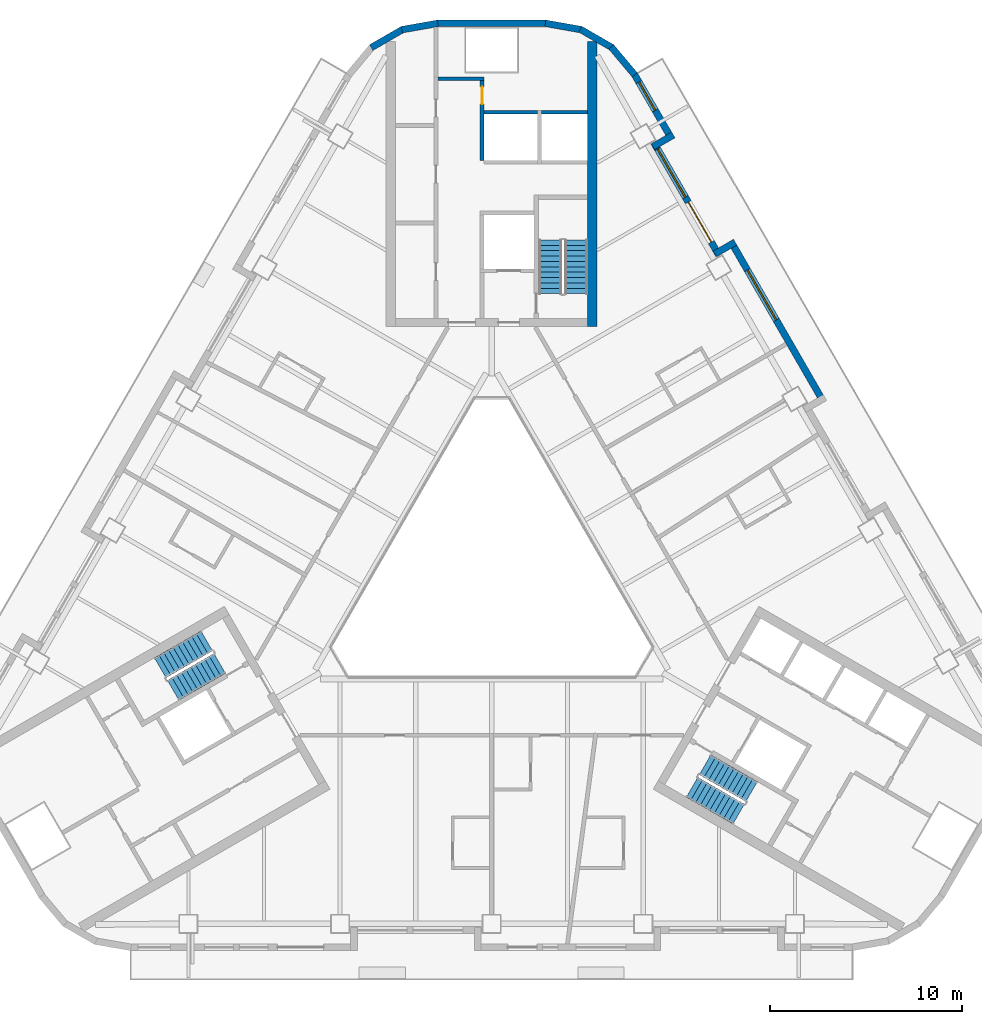
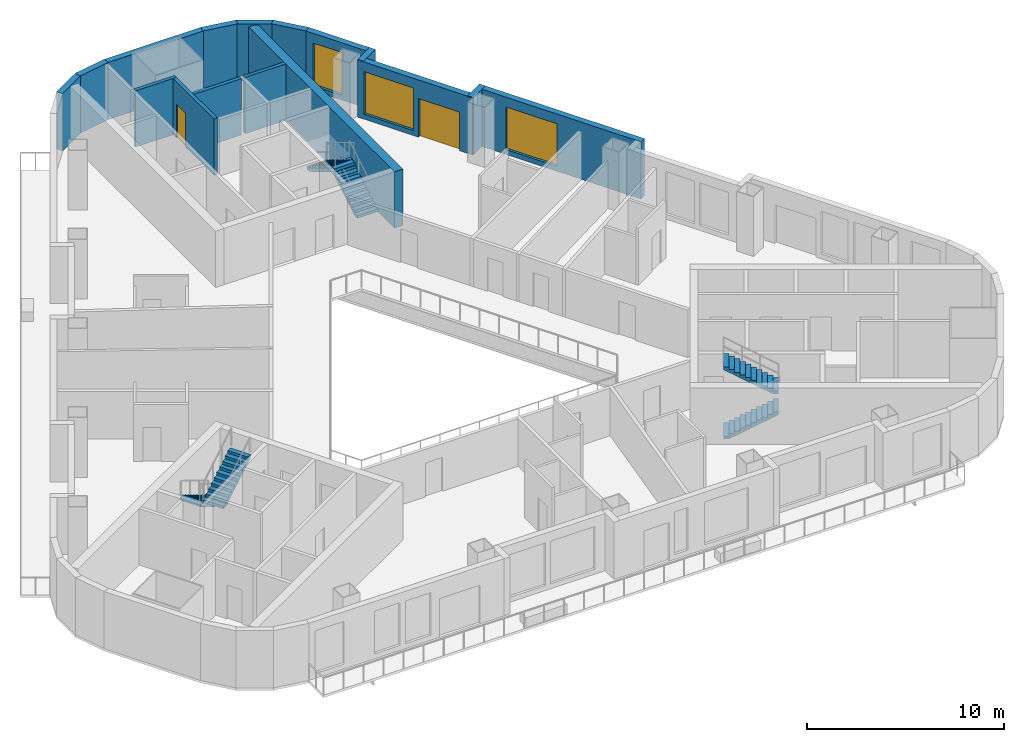
# One storey, part 7 of 13: 16 walls, 6 stair flights, 3 windows, 2 doors, 5 openings, 3 elements without a shape of their own.
"""IFC4 building model written with IfcOpenShell, lengths in metres."""

from ifc_helpers import new_model, si_unit, direction, frame, frame_2d, origin, place, context, subcontext, project, spatial, polyline, rectangle, outline, extrude, material, layer, layer_set, type_object, element, fill, aggregate, save


model = new_model("IFC4")

# Units and contexts
model_context = context("Model", 3, precision=1e-05, world=origin(), true_north=direction((0.0, 1.0)))
body_context = subcontext(model_context, "Body", "Model", "MODEL_VIEW")
ifc_project = project(units=[si_unit("LENGTHUNIT", "METRE"), si_unit("AREAUNIT", "SQUARE_METRE"), si_unit("VOLUMEUNIT", "CUBIC_METRE"), si_unit("PLANEANGLEUNIT", "RADIAN"), si_unit("MASSUNIT", "GRAM", prefix="KILO")], contexts=[model_context])

# Site, building, storey
site_placement = place(None, origin())
site = spatial("IfcSite", under=ifc_project, at=site_placement, CompositionType="ELEMENT")
building_placement = place(site_placement, origin())
building = spatial("IfcBuilding", under=site, at=building_placement, Name="Apuvela Tower Hotel", CompositionType="ELEMENT")
storey_placement = place(building_placement, frame((0.0, 0.0, 65.0)))
storey = spatial("IfcBuildingStorey", under=building, at=storey_placement, Name="L13", CompositionType="ELEMENT", Elevation=65.0)

# Walls
ifc_material_1 = material(Name="Concrete C50/60", Category="concrete")
ifc_layer_1 = layer(ifc_material_1, 0.5)
ifc_layer_set_1 = layer_set([ifc_layer_1], Name="COR-WALL-CORE-500")
wall_type_1 = type_object("IfcWallType", Name="COR-WALL-CORE-500", PredefinedType="SHEAR", material=ifc_layer_set_1)
wall_1_placement = place(storey_placement, frame((5.25, 12.89990234375, 0.0), z_axis=(0.0, 0.0, 1.0), x_axis=(0.0, 1.0, 0.0)))
element("IfcWall", 1, at=wall_1_placement, inside=storey, type_object=wall_type_1, Name="Core wall N", PredefinedType="SHEAR", context=body_context, shape_type="SweptSolid", body=[
    extrude(rectangle(XDim=14.8369140625, YDim=0.5, at=frame_2d((7.41845703125, 0.0))), origin(), (0.0, 0.0, 1.0), 3.5),
])
ifc_layer_2 = layer(ifc_material_1, 0.199951171875)
ifc_layer_set_2 = layer_set([ifc_layer_2], Name="COR-WALL-SHAFT-200")
wall_type_2 = type_object("IfcWallType", Name="COR-WALL-SHAFT-200", PredefinedType="SHEAR", material=ifc_layer_set_2)
wall_2_placement = place(storey_placement, frame((-0.39990234375, 25.800048828125, 0.0), z_axis=(0.0, 0.0, 1.0), x_axis=(-1.0, 0.0, 0.0)))
element("IfcWall", 2, at=wall_2_placement, inside=storey, type_object=wall_type_2, Name="Shaft wall N", PredefinedType="SHEAR", context=body_context, shape_type="SweptSolid", body=[
    extrude(rectangle(XDim=2.400146484375, YDim=0.199951171875, at=frame_2d((1.2001953125, 0.0))), origin(), (0.0, 0.0, 1.0), 3.5),
])

# Wall, opening, door
wall_3_placement = place(storey_placement, frame((-0.5, 21.550048828125, 0.0), z_axis=(0.0, 0.0, 1.0), x_axis=(0.0, 1.0, 0.0)))
wall_3 = element("IfcWall", 3, at=wall_3_placement, inside=storey, type_object=wall_type_2, Name="Shaft wall N", PredefinedType="SHEAR", context=body_context, shape_type="SweptSolid", body=[
    extrude(rectangle(XDim=4.14990234375, YDim=0.199951171875, at=frame_2d((2.074951171875, 0.0))), origin(), (0.0, 0.0, 1.0), 3.5),
])
opening_1_placement = place(wall_3_placement, frame((2.925048828125, 0.0, 0.0)))
opening_1 = element("IfcOpeningElement", 4, at=opening_1_placement, cuts=wall_3, Name="Opening N-RSP", PredefinedType="OPENING", context=body_context, shape_type="SweptSolid", body=[
    extrude(rectangle(XDim=0.89990234375, YDim=2.10009765625, at=frame_2d((0.449951171875, 1.050048828125))), frame((0.0, 0.10986328125, 0.0), z_axis=(0.0, -1.0, 0.0), x_axis=(1.0, 0.0, 0.0)), (0.0, 0.0, 1.0), 0.219970703125),
])
ifc_material_2 = material(Name="Steel fire door, powder coated", Category="steel")
door_type_1 = type_object("IfcDoorType", Name="COR-DR-900", OperationType="NOTDEFINED", PredefinedType="DOOR", material=ifc_material_2)
door_1_placement = place(opening_1_placement, frame((0.89990234375, 0.0, 0.0), z_axis=(0.0, 0.0, 1.0), x_axis=(-1.0, 0.0, 0.0)))
door_1 = element("IfcDoor", 5, at=door_1_placement, inside=storey, type_object=door_type_1, Name="Store door N-RSP", OperationType="SINGLE_SWING_LEFT", OverallHeight=2.10009765625, OverallWidth=0.89990234375, PredefinedType="DOOR", context=body_context, shape_type="SweptSolid", body=[
    extrude(rectangle(XDim=0.89990234375, YDim=2.10009765625, at=frame_2d((0.449951171875, 1.050048828125))), frame((0.0, 0.02490234375, 0.0), z_axis=(0.0, -1.0, 0.0), x_axis=(1.0, 0.0, 0.0)), (0.0, 0.0, 1.0), 0.050048828125),
])
fill(opening_1, door_1)

# Walls
wall_4_placement = place(storey_placement, frame((5.0, 24.050048828125, 0.0), z_axis=(0.0, 0.0, 1.0), x_axis=(-1.0, 0.0, 0.0)))
element("IfcWall", 6, at=wall_4_placement, inside=storey, type_object=wall_type_2, Name="Shaft wall N", PredefinedType="SHEAR", context=body_context, shape_type="SweptSolid", body=[
    extrude(rectangle(XDim=2.39990234375, YDim=0.199951171875, at=frame_2d((1.199951171875, 0.0))), origin(), (0.0, 0.0, 1.0), 3.5),
])
wall_5_placement = place(storey_placement, frame((2.39990234375, 24.050048828125, 0.0), z_axis=(0.0, 0.0, 1.0), x_axis=(-1.0, 0.0, 0.0)))
element("IfcWall", 7, at=wall_5_placement, inside=storey, type_object=wall_type_2, Name="Shaft wall N", PredefinedType="SHEAR", context=body_context, shape_type="SweptSolid", body=[
    extrude(rectangle(XDim=2.7998046875, YDim=0.199951171875, at=frame_2d((1.39990234375, 0.0))), origin(), (0.0, 0.0, 1.0), 3.5),
])

# Wall, opening, window
ifc_material_3 = material(Name="Concrete C40/50, dark pigmented precast panel", Category="concrete")
ifc_layer_3 = layer(ifc_material_3, 0.35009765625)
ifc_layer_set_3 = layer_set([ifc_layer_3], Name="ENV-WALL-350")
wall_type_3 = type_object("IfcWallType", Name="ENV-WALL-350", PredefinedType="SOLIDWALL", material=ifc_layer_set_3)
wall_6_placement = place(storey_placement, frame((17.298583984375, 8.947998046875, 0.0), z_axis=(0.0, 0.0, 1.0), x_axis=(-0.500010041276, 0.866019606374, 0.0)))
wall_6 = element("IfcWall", 8, at=wall_6_placement, inside=storey, type_object=wall_type_3, Name="External wall L13-37", PredefinedType="SOLIDWALL", context=body_context, shape_type="SweptSolid", body=[
    extrude(rectangle(XDim=9.699951171875, YDim=0.35009765625, at=frame_2d((4.85009765625, 0.0))), origin(), (0.0, 0.0, 1.0), 3.550048828125),
])
opening_2_placement = place(wall_6_placement, frame((4.94921875, 0.0, 0.300048828125)))
opening_2 = element("IfcOpeningElement", 9, at=opening_2_placement, cuts=wall_6, Name="Opening WN30", PredefinedType="OPENING", context=body_context, shape_type="SweptSolid", body=[
    extrude(rectangle(XDim=3.0, YDim=2.64990234375, at=frame_2d((1.5, 1.324951171875))), frame((0.0, 0.18505859375, 0.0), z_axis=(0.0, -1.0, 0.0), x_axis=(1.0, 0.0, 0.0)), (0.0, 0.0, 1.0), 0.3701171875),
])
ifc_material_4 = material(Name="Glass, dark tinted laminated insulated glazing unit", Category="glass")
window_type_1 = type_object("IfcWindowType", Name="ENV-WIN-3000x2650", PartitioningType="SINGLE_PANEL", PredefinedType="WINDOW", material=ifc_material_4)
window_1_placement = place(opening_2_placement, origin())
window_1 = element("IfcWindow", 10, at=window_1_placement, inside=storey, type_object=window_type_1, Name="Window WN30", OverallHeight=2.64990234375, OverallWidth=3.0, PartitioningType="SINGLE_PANEL", PredefinedType="WINDOW", context=body_context, shape_type="SweptSolid", body=[
    extrude(rectangle(XDim=3.0, YDim=2.64990234375, at=frame_2d((1.5, 1.324951171875))), frame((0.0, 0.030029296875, 0.0), z_axis=(0.0, -1.0, 0.0), x_axis=(1.0, 0.0, 0.0)), (0.0, 0.0, 1.0), 0.06005859375),
])
fill(opening_2, window_1)

# Wall
wall_7_placement = place(storey_placement, frame((12.6875, 17.284423828125, 0.0), z_axis=(0.0, 0.0, 1.0), x_axis=(-0.865955602162, -0.500120880472, 0.0)))
element("IfcWall", 11, at=wall_7_placement, inside=storey, type_object=wall_type_3, Name="External wall L13-38", PredefinedType="SOLIDWALL", context=body_context, shape_type="SweptSolid", body=[
    extrude(rectangle(XDim=1.219970703125, YDim=0.35009765625, at=frame_2d((0.60986328125, 0.0))), origin(), (0.0, 0.0, 1.0), 3.550048828125),
])

# Wall, openings, door, window
wall_8_placement = place(storey_placement, frame((11.8291015625, 16.621337890625, 0.0), z_axis=(0.0, 0.0, 1.0), x_axis=(-0.500003597184, 0.866023326939, 0.0)))
wall_8 = element("IfcWall", 12, at=wall_8_placement, inside=storey, type_object=wall_type_3, Name="External wall L13-39", PredefinedType="SOLIDWALL", context=body_context, shape_type="SweptSolid", body=[
    extrude(rectangle(XDim=6.740234375, YDim=0.35009765625, at=frame_2d((3.3701171875, 0.0))), origin(), (0.0, 0.0, 1.0), 3.550048828125),
])
opening_3_placement = place(wall_8_placement, frame((0.77001953125, 0.0, 0.0)))
opening_3 = element("IfcOpeningElement", 13, at=opening_3_placement, cuts=wall_8, Name="Opening BD24", PredefinedType="OPENING", context=body_context, shape_type="SweptSolid", body=[
    extrude(rectangle(XDim=2.39990234375, YDim=2.39990234375, at=frame_2d((1.199951171875, 1.199951171875))), frame((0.0, 0.18505859375, 0.0), z_axis=(0.0, -1.0, 0.0), x_axis=(1.0, 0.0, 0.0)), (0.0, 0.0, 1.0), 0.3701171875),
])
opening_4_placement = place(wall_8_placement, frame((3.469970703125, 0.0, 0.300048828125)))
opening_4 = element("IfcOpeningElement", 14, at=opening_4_placement, cuts=wall_8, Name="Opening WN29", PredefinedType="OPENING", context=body_context, shape_type="SweptSolid", body=[
    extrude(rectangle(XDim=2.89990234375, YDim=2.64990234375, at=frame_2d((1.449951171875, 1.324951171875))), frame((0.0, 0.18505859375, 0.0), z_axis=(0.0, -1.0, 0.0), x_axis=(1.0, 0.0, 0.0)), (0.0, 0.0, 1.0), 0.3701171875),
])
ifc_material_5 = material(Name="Aluminium 6063-T6, dark bronze anodised frame with dark tinted laminated glass", Category="aluminium")
door_type_2 = type_object("IfcDoorType", Name="ENV-DOOR-BALCONY-2400x2400", OperationType="SLIDING_TO_LEFT", PredefinedType="DOOR", material=ifc_material_5)
door_2_placement = place(opening_3_placement, frame((2.39990234375, 0.0, 0.0), z_axis=(0.0, 0.0, 1.0), x_axis=(-1.0, 0.0, 0.0)))
door_2 = element("IfcDoor", 15, at=door_2_placement, inside=storey, type_object=door_type_2, Name="Balcony door BD24", OperationType="SLIDING_TO_LEFT", OverallHeight=2.39990234375, OverallWidth=2.39990234375, PredefinedType="DOOR", context=body_context, shape_type="SweptSolid", body=[
    extrude(rectangle(XDim=2.39990234375, YDim=2.39990234375, at=frame_2d((1.199951171875, 1.199951171875))), frame((0.0, 0.02490234375, 0.0), z_axis=(0.0, -1.0, 0.0), x_axis=(1.0, 0.0, 0.0)), (0.0, 0.0, 1.0), 0.050048828125),
])
fill(opening_3, door_2)
window_type_2 = type_object("IfcWindowType", Name="ENV-WIN-2900x2650", PartitioningType="SINGLE_PANEL", PredefinedType="WINDOW", material=ifc_material_4)
window_2_placement = place(opening_4_placement, origin())
window_2 = element("IfcWindow", 16, at=window_2_placement, inside=storey, type_object=window_type_2, Name="Window WN29", OverallHeight=2.64990234375, OverallWidth=2.89990234375, PartitioningType="SINGLE_PANEL", PredefinedType="WINDOW", context=body_context, shape_type="SweptSolid", body=[
    extrude(rectangle(XDim=2.89990234375, YDim=2.64990234375, at=frame_2d((1.449951171875, 1.324951171875))), frame((0.0, 0.030029296875, 0.0), z_axis=(0.0, -1.0, 0.0), x_axis=(1.0, 0.0, 0.0)), (0.0, 0.0, 1.0), 0.06005859375),
])
fill(opening_4, window_2)

# Wall
wall_9_placement = place(storey_placement, frame((8.406005859375, 22.26025390625, 0.0), z_axis=(0.0, 0.0, 1.0), x_axis=(0.865955602162, 0.500120880472, 0.0)))
element("IfcWall", 17, at=wall_9_placement, inside=storey, type_object=wall_type_3, Name="External wall L13-40", PredefinedType="SOLIDWALL", context=body_context, shape_type="SweptSolid", body=[
    extrude(rectangle(XDim=1.219970703125, YDim=0.35009765625, at=frame_2d((0.60986328125, 0.0))), origin(), (0.0, 0.0, 1.0), 3.550048828125),
])

# Wall, opening, window
wall_10_placement = place(storey_placement, frame((9.3984375, 22.631103515625, 0.0), z_axis=(0.0, 0.0, 1.0), x_axis=(-0.499954521343, 0.866051659307, 0.0)))
wall_10 = element("IfcWall", 18, at=wall_10_placement, inside=storey, type_object=wall_type_3, Name="External wall L13-41", PredefinedType="SOLIDWALL", context=body_context, shape_type="SweptSolid", body=[
    extrude(rectangle(XDim=3.915771484375, YDim=0.35009765625, at=frame_2d((1.9580078125, 0.0))), origin(), (0.0, 0.0, 1.0), 3.550048828125),
])
opening_5_placement = place(wall_10_placement, frame((1.749755859375, 0.0, 0.300048828125)))
opening_5 = element("IfcOpeningElement", 19, at=opening_5_placement, cuts=wall_10, Name="Opening WN17", PredefinedType="OPENING", context=body_context, shape_type="SweptSolid", body=[
    extrude(rectangle(XDim=1.699951171875, YDim=2.64990234375, at=frame_2d((0.85009765625, 1.324951171875))), frame((0.0, 0.18505859375, 0.0), z_axis=(0.0, -1.0, 0.0), x_axis=(1.0, 0.0, 0.0)), (0.0, 0.0, 1.0), 0.3701171875),
])
window_type_3 = type_object("IfcWindowType", Name="ENV-WIN-1700x2650", PartitioningType="SINGLE_PANEL", PredefinedType="WINDOW", material=ifc_material_4)
window_3_placement = place(opening_5_placement, origin())
window_3 = element("IfcWindow", 20, at=window_3_placement, inside=storey, type_object=window_type_3, Name="Window WN17", OverallHeight=2.64990234375, OverallWidth=1.699951171875, PartitioningType="SINGLE_PANEL", PredefinedType="WINDOW", context=body_context, shape_type="SweptSolid", body=[
    extrude(rectangle(XDim=1.699951171875, YDim=2.64990234375, at=frame_2d((0.85009765625, 1.324951171875))), frame((0.0, 0.030029296875, 0.0), z_axis=(0.0, -1.0, 0.0), x_axis=(1.0, 0.0, 0.0)), (0.0, 0.0, 1.0), 0.06005859375),
])
fill(opening_5, window_3)

# Walls
wall_11_placement = place(storey_placement, frame((7.4580078125, 25.99755859375, 0.0), z_axis=(0.0, 0.0, 1.0), x_axis=(-0.642808304945, 0.766027077259, 0.0)))
element("IfcWall", 21, at=wall_11_placement, inside=storey, type_object=wall_type_3, Name="External wall L13-42", PredefinedType="SOLIDWALL", context=body_context, shape_type="SweptSolid", body=[
    extrude(rectangle(XDim=1.909912109375, YDim=0.35009765625, at=frame_2d((0.955078125, 0.0))), origin(), (0.0, 0.0, 1.0), 3.550048828125),
])
for number, where, z_axis, x_axis, name in (
    (22, (6.27685546875, 27.421630859375, 0.0), (0.0, 0.0, 1.0), (-0.866032345022, 0.499987977232, 0.0), "External wall L13-43"),
    (23, (4.6796875, 28.35595703125, 0.0), (0.0, 0.0, 1.0), (-0.984798995425, 0.173697837091, 0.0), "External wall L13-44"),
):
    element("IfcWall", number, at=place(storey_placement, frame(where, z_axis=z_axis, x_axis=x_axis)), inside=storey, type_object=wall_type_3, Name=name, PredefinedType="SOLIDWALL", context=body_context, shape_type="SweptSolid", body=[
        extrude(rectangle(XDim=1.91015625, YDim=0.35009765625, at=frame_2d((0.955078125, 0.0))), origin(), (0.0, 0.0, 1.0), 3.550048828125),
    ])
wall_12_placement = place(storey_placement, frame((2.8291015625, 28.68505859375, 0.0), z_axis=(0.0, 0.0, 1.0), x_axis=(-1.0, 0.0, 0.0)))
element("IfcWall", 24, at=wall_12_placement, inside=storey, type_object=wall_type_3, Name="External wall L13-45", PredefinedType="SOLIDWALL", context=body_context, shape_type="SweptSolid", body=[
    extrude(rectangle(XDim=5.658203125, YDim=0.35009765625, at=frame_2d((2.8291015625, 0.0))), origin(), (0.0, 0.0, 1.0), 3.550048828125),
])
for number, where, z_axis, x_axis, name in (
    (25, (-2.798583984375, 28.687744140625, 0.0), (0.0, 0.0, 1.0), (-0.984798995425, -0.173697837091, 0.0), "External wall L13-46"),
    (26, (-4.62255859375, 28.376708984375, 0.0), (0.0, 0.0, 1.0), (-0.866032345022, -0.499987977232, 0.0), "External wall L13-47"),
):
    element("IfcWall", number, at=place(storey_placement, frame(where, z_axis=z_axis, x_axis=x_axis)), inside=storey, type_object=wall_type_3, Name=name, PredefinedType="SOLIDWALL", context=body_context, shape_type="SweptSolid", body=[
        extrude(rectangle(XDim=1.91015625, YDim=0.35009765625, at=frame_2d((0.955078125, 0.0))), origin(), (0.0, 0.0, 1.0), 3.550048828125),
    ])

# Stair, stair flights
stair_type = type_object("IfcStairType", Name="COR-STAIR-22R", PredefinedType="HALF_TURN_STAIR", material=ifc_material_1)
stair_1_placement = place(storey_placement, origin())
stair_1 = element("IfcStair", 27, at=stair_1_placement, inside=storey, type_object=stair_type, Name="L13 Exit stair ST1", PredefinedType="HALF_TURN_STAIR")
stair_flight_type = type_object("IfcStairFlightType", Name="COR-FLIGHT-11R", PredefinedType="STRAIGHT", material=ifc_material_1)
stair_flight_1_placement = place(storey_placement, frame((4.39990234375, 14.60009765625, 0.0), z_axis=(0.0, 0.0, 1.0), x_axis=(0.0, 1.0, 0.0)))
stair_flight_1 = element("IfcStairFlight", 28, at=stair_flight_1_placement, type_object=stair_flight_type, Name="ST1 flight 1", NumberOfRisers=11, NumberOfTreads=10, PredefinedType="STRAIGHT", RiserHeight=0.168181818, TreadLength=0.28, context=body_context, shape_type="SweptSolid", body=[
    extrude(outline(polyline([(0.0, 0.0), (0.0, 0.168212890625), (0.280029296875, 0.168212890625), (0.280029296875, 0.33642578125), (0.56005859375, 0.33642578125), (0.56005859375, 0.504638671875), (0.840087890625, 0.504638671875), (0.840087890625, 0.672607421875), (1.1201171875, 0.672607421875), (1.1201171875, 0.8408203125), (1.39990234375, 0.8408203125), (1.39990234375, 1.009033203125), (1.679931640625, 1.009033203125), (1.679931640625, 1.17724609375), (1.9599609375, 1.17724609375), (1.9599609375, 1.345458984375), (2.239990234375, 1.345458984375), (2.239990234375, 1.513671875), (2.52001953125, 1.513671875), (2.52001953125, 1.681884765625), (2.800048828125, 1.681884765625), (2.800048828125, 1.85009765625), (2.800048828125, 1.5068359375), (0.291015625, 0.0), (0.0, 0.0)])), frame((0.0, 0.60009765625, 0.0), z_axis=(0.0, -1.0, 0.0), x_axis=(1.0, 0.0, 0.0)), (0.0, 0.0, 1.0), 1.199951171875),
])
stair_flight_2_placement = place(storey_placement, frame((3.050048828125, 17.39990234375, 1.85009765625), z_axis=(0.0, 0.0, 1.0), x_axis=(0.0, -1.0, 0.0)))
stair_flight_2 = element("IfcStairFlight", 29, at=stair_flight_2_placement, type_object=stair_flight_type, Name="ST1 flight 2", NumberOfRisers=11, NumberOfTreads=10, PredefinedType="STRAIGHT", RiserHeight=0.168181818, TreadLength=0.28, context=body_context, shape_type="SweptSolid", body=[
    extrude(outline(polyline([(0.0, 0.0), (0.0, 0.168212890625), (0.280029296875, 0.168212890625), (0.280029296875, 0.33642578125), (0.56005859375, 0.33642578125), (0.56005859375, 0.504638671875), (0.840087890625, 0.504638671875), (0.840087890625, 0.672607421875), (1.1201171875, 0.672607421875), (1.1201171875, 0.8408203125), (1.39990234375, 0.8408203125), (1.39990234375, 1.009033203125), (1.679931640625, 1.009033203125), (1.679931640625, 1.17724609375), (1.9599609375, 1.17724609375), (1.9599609375, 1.345458984375), (2.239990234375, 1.345458984375), (2.239990234375, 1.513671875), (2.52001953125, 1.513671875), (2.52001953125, 1.681884765625), (2.800048828125, 1.681884765625), (2.800048828125, 1.85009765625), (2.800048828125, 1.5068359375), (0.291015625, 0.0), (0.0, 0.0)])), frame((0.0, 0.60009765625, 0.0), z_axis=(0.0, -1.0, 0.0), x_axis=(1.0, 0.0, 0.0)), (0.0, 0.0, 1.0), 1.199951171875),
])
aggregate(stair_1, [stair_flight_1, stair_flight_2])

stair_2_placement = place(storey_placement, origin())
stair_2 = element("IfcStair", 30, at=stair_2_placement, inside=storey, type_object=stair_type, Name="L13 Exit stair ST2", PredefinedType="HALF_TURN_STAIR")
stair_flight_3_placement = place(storey_placement, frame((-14.843994140625, -3.489501953125, 0.0), z_axis=(0.0, 0.0, 1.0), x_axis=(-0.866025403784, -0.5, 0.0)))
stair_flight_3 = element("IfcStairFlight", 31, at=stair_flight_3_placement, type_object=stair_flight_type, Name="ST2 flight 1", NumberOfRisers=11, NumberOfTreads=10, PredefinedType="STRAIGHT", RiserHeight=0.168181818, TreadLength=0.28, context=body_context, shape_type="SweptSolid", body=[
    extrude(outline(polyline([(0.0, 0.0), (0.0, 0.168212890625), (0.280029296875, 0.168212890625), (0.280029296875, 0.33642578125), (0.56005859375, 0.33642578125), (0.56005859375, 0.504638671875), (0.840087890625, 0.504638671875), (0.840087890625, 0.672607421875), (1.1201171875, 0.672607421875), (1.1201171875, 0.8408203125), (1.39990234375, 0.8408203125), (1.39990234375, 1.009033203125), (1.679931640625, 1.009033203125), (1.679931640625, 1.17724609375), (1.9599609375, 1.17724609375), (1.9599609375, 1.345458984375), (2.239990234375, 1.345458984375), (2.239990234375, 1.513671875), (2.52001953125, 1.513671875), (2.52001953125, 1.681884765625), (2.800048828125, 1.681884765625), (2.800048828125, 1.85009765625), (2.800048828125, 1.5068359375), (0.291015625, 0.0), (0.0, 0.0)])), frame((0.0, 0.60009765625, 0.0), z_axis=(0.0, -1.0, 0.0), x_axis=(1.0, 0.0, 0.0)), (0.0, 0.0, 1.0), 1.199951171875),
])
stair_flight_4_placement = place(storey_placement, frame((-16.59375, -6.05859375, 1.85009765625), z_axis=(0.0, 0.0, 1.0), x_axis=(0.866025403784, 0.5, 0.0)))
stair_flight_4 = element("IfcStairFlight", 32, at=stair_flight_4_placement, type_object=stair_flight_type, Name="ST2 flight 2", NumberOfRisers=11, NumberOfTreads=10, PredefinedType="STRAIGHT", RiserHeight=0.168181818, TreadLength=0.28, context=body_context, shape_type="SweptSolid", body=[
    extrude(outline(polyline([(0.0, 0.0), (0.0, 0.168212890625), (0.280029296875, 0.168212890625), (0.280029296875, 0.33642578125), (0.56005859375, 0.33642578125), (0.56005859375, 0.504638671875), (0.840087890625, 0.504638671875), (0.840087890625, 0.672607421875), (1.1201171875, 0.672607421875), (1.1201171875, 0.8408203125), (1.39990234375, 0.8408203125), (1.39990234375, 1.009033203125), (1.679931640625, 1.009033203125), (1.679931640625, 1.17724609375), (1.9599609375, 1.17724609375), (1.9599609375, 1.345458984375), (2.239990234375, 1.345458984375), (2.239990234375, 1.513671875), (2.52001953125, 1.513671875), (2.52001953125, 1.681884765625), (2.800048828125, 1.681884765625), (2.800048828125, 1.85009765625), (2.800048828125, 1.5068359375), (0.291015625, 0.0), (0.0, 0.0)])), frame((0.0, 0.60009765625, 0.0), z_axis=(0.0, -1.0, 0.0), x_axis=(1.0, 0.0, 0.0)), (0.0, 0.0, 1.0), 1.199951171875),
])
aggregate(stair_2, [stair_flight_3, stair_flight_4])

stair_3_placement = place(storey_placement, origin())
stair_3 = element("IfcStair", 33, at=stair_3_placement, inside=storey, type_object=stair_type, Name="L13 Exit stair ST3", PredefinedType="HALF_TURN_STAIR")
stair_flight_5_placement = place(storey_placement, frame((10.444091796875, -11.110595703125, 0.0), z_axis=(0.0, 0.0, 1.0), x_axis=(0.866025403784, -0.5, 0.0)))
stair_flight_5 = element("IfcStairFlight", 34, at=stair_flight_5_placement, type_object=stair_flight_type, Name="ST3 flight 1", NumberOfRisers=11, NumberOfTreads=10, PredefinedType="STRAIGHT", RiserHeight=0.168181818, TreadLength=0.28, context=body_context, shape_type="SweptSolid", body=[
    extrude(outline(polyline([(0.0, 0.0), (0.0, 0.168212890625), (0.280029296875, 0.168212890625), (0.280029296875, 0.33642578125), (0.56005859375, 0.33642578125), (0.56005859375, 0.504638671875), (0.840087890625, 0.504638671875), (0.840087890625, 0.672607421875), (1.1201171875, 0.672607421875), (1.1201171875, 0.8408203125), (1.39990234375, 0.8408203125), (1.39990234375, 1.009033203125), (1.679931640625, 1.009033203125), (1.679931640625, 1.17724609375), (1.9599609375, 1.17724609375), (1.9599609375, 1.345458984375), (2.239990234375, 1.345458984375), (2.239990234375, 1.513671875), (2.52001953125, 1.513671875), (2.52001953125, 1.681884765625), (2.800048828125, 1.681884765625), (2.800048828125, 1.85009765625), (2.800048828125, 1.5068359375), (0.291015625, 0.0), (0.0, 0.0)])), frame((0.0, 0.60009765625, 0.0), z_axis=(0.0, -1.0, 0.0), x_axis=(1.0, 0.0, 0.0)), (0.0, 0.0, 1.0), 1.199951171875),
])
stair_flight_6_placement = place(storey_placement, frame((13.5439453125, -11.34130859375, 1.85009765625), z_axis=(0.0, 0.0, 1.0), x_axis=(-0.866025403784, 0.5, 0.0)))
stair_flight_6 = element("IfcStairFlight", 35, at=stair_flight_6_placement, type_object=stair_flight_type, Name="ST3 flight 2", NumberOfRisers=11, NumberOfTreads=10, PredefinedType="STRAIGHT", RiserHeight=0.168181818, TreadLength=0.28, context=body_context, shape_type="SweptSolid", body=[
    extrude(outline(polyline([(0.0, 0.0), (0.0, 0.168212890625), (0.280029296875, 0.168212890625), (0.280029296875, 0.33642578125), (0.56005859375, 0.33642578125), (0.56005859375, 0.504638671875), (0.840087890625, 0.504638671875), (0.840087890625, 0.672607421875), (1.1201171875, 0.672607421875), (1.1201171875, 0.8408203125), (1.39990234375, 0.8408203125), (1.39990234375, 1.009033203125), (1.679931640625, 1.009033203125), (1.679931640625, 1.17724609375), (1.9599609375, 1.17724609375), (1.9599609375, 1.345458984375), (2.239990234375, 1.345458984375), (2.239990234375, 1.513671875), (2.52001953125, 1.513671875), (2.52001953125, 1.681884765625), (2.800048828125, 1.681884765625), (2.800048828125, 1.85009765625), (2.800048828125, 1.5068359375), (0.291015625, 0.0), (0.0, 0.0)])), frame((0.0, 0.60009765625, 0.0), z_axis=(0.0, -1.0, 0.0), x_axis=(1.0, 0.0, 0.0)), (0.0, 0.0, 1.0), 1.199951171875),
])
aggregate(stair_3, [stair_flight_5, stair_flight_6])

save(model, "model.ifc")
